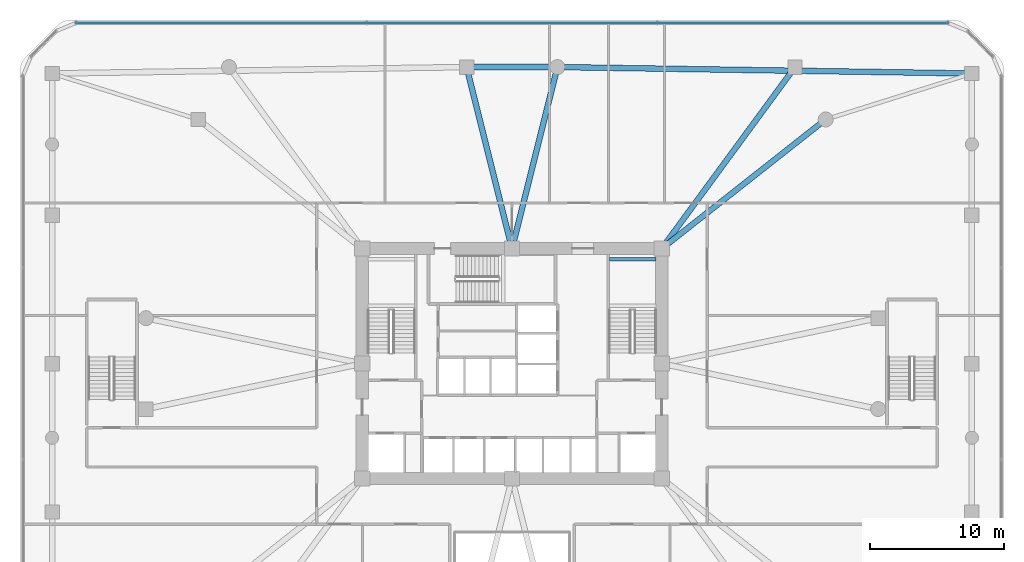
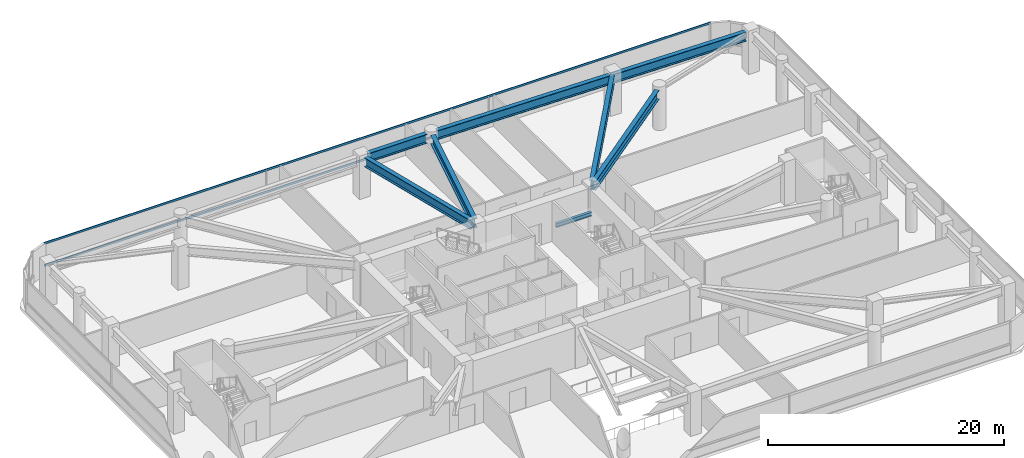
# One storey, part 7 of 21: 7 beams, 2 members, 1 element without a shape of its own.
"""IFC4 building model written with IfcOpenShell, lengths in metres."""

from ifc_helpers import new_model, si_unit, derived_unit, direction, frame, origin, origin_2d, place, context, subcontext, project, spatial, rectangle, i_section, extrude, material, material_profile, profile_set, type_object, element, aggregate, save


model = new_model("IFC4")

# Units and contexts
model_context = context("Model", 3, precision=1e-05, world=origin(), true_north=direction((0.0, 1.0)))
body_context = subcontext(model_context, "Body", "Model", "MODEL_VIEW")
ifc_project = project(units=[si_unit("LENGTHUNIT", "METRE"), si_unit("AREAUNIT", "SQUARE_METRE"), si_unit("VOLUMEUNIT", "CUBIC_METRE"), si_unit("PLANEANGLEUNIT", "RADIAN"), si_unit("MASSUNIT", "GRAM", prefix="KILO"), derived_unit("THERMALTRANSMITTANCEUNIT", [(si_unit("POWERUNIT", "WATT"), 1), (si_unit("LENGTHUNIT", "METRE"), -2), (si_unit("THERMODYNAMICTEMPERATUREUNIT", "KELVIN"), -1)])], contexts=[model_context])

# Site, building, storey
site_placement = place(None, origin())
site = spatial("IfcSite", under=ifc_project, at=site_placement, CompositionType="ELEMENT")
building_placement = place(site_placement, origin())
building = spatial("IfcBuilding", under=site, at=building_placement, Name="Koralith Skygarden Medical Center", CompositionType="ELEMENT")
storey_placement = place(building_placement, frame((0.0, 0.0, 5.39990234375)))
storey = spatial("IfcBuildingStorey", under=building, at=storey_placement, Name="L01", CompositionType="ELEMENT", Elevation=5.39990234375)

# Curtain wall, members
ifc_material_1 = material(Name="Clear Laminated Glass", Category="glass")
curtain_wall_type = type_object("IfcCurtainWallType", Name="CW-1 Transit & Podium Acoustic Curtain Wall", PredefinedType="NOTDEFINED", material=ifc_material_1)
curtain_wall_placement = place(storey_placement, origin())
curtain_wall = element("IfcCurtainWall", 1, at=curtain_wall_placement, inside=storey, type_object=curtain_wall_type, Name="Curtain Wall CW-L01-N", PredefinedType="NOTDEFINED")
ifc_material_2 = material(Name="Aluminium 6063-T6", Category="aluminium")
ifc_material_profile_1 = material_profile(ifc_material_2, rectangle(XDim=0.06298828125, YDim=0.216064453125, at=origin_2d()), Name="TRN63X216")
ifc_profile_set_1 = profile_set([ifc_material_profile_1], Name="Aluminium 6063-T6")
member_type = type_object("IfcMemberType", Name="CW-1 Thermal Transom 63x216", PredefinedType="USERDEFINED", material=ifc_profile_set_1)
member_1_placement = place(storey_placement, frame((69.62109375, 51.3798828125, 0.900146484375), z_axis=(-1.0, 0.0, 0.0), x_axis=(0.0, -1.0, 0.0)))
member_1 = element("IfcMember", 2, at=member_1_placement, type_object=member_type, Name="CW-L01-N Transom 1", ObjectType="TRANSOM", PredefinedType="USERDEFINED", context=body_context, shape_type="SweptSolid", body=[
    extrude(rectangle(XDim=0.06298828125, YDim=0.216064453125, at=origin_2d()), origin(), (0.0, 0.0, 1.0), 65.2421875),
])
member_2_placement = place(storey_placement, frame((69.62109375, 51.3798828125, 3.190185546875), z_axis=(-1.0, 0.0, 0.0), x_axis=(0.0, -1.0, 0.0)))
member_2 = element("IfcMember", 3, at=member_2_placement, type_object=member_type, Name="CW-L01-N Transom 2", ObjectType="TRANSOM", PredefinedType="USERDEFINED", context=body_context, shape_type="SweptSolid", body=[
    extrude(rectangle(XDim=0.06298828125, YDim=0.216064453125, at=origin_2d()), origin(), (0.0, 0.0, 1.0), 65.2421875),
])
aggregate(curtain_wall, [member_1, member_2])

# Beams
ifc_material_3 = material(Name="Steel ASTM A992 Grade 50", Category="steel")
ifc_material_profile_2 = material_profile(ifc_material_3, i_section(OverallWidth=0.260009765625, OverallDepth=0.4150390625, WebThickness=0.010009765625, FlangeThickness=0.016845703125, at=origin_2d()), Name="W16X67")
ifc_profile_set_2 = profile_set([ifc_material_profile_2], Name="Steel ASTM A992 Grade 50")
beam_type_1 = type_object("IfcBeamType", Name="Clinical Floor Joist W16X67", PredefinedType="JOIST", material=ifc_profile_set_2)
beam_1_placement = place(storey_placement, frame((44.280029296875, 33.699951171875, 1.843017578125), z_axis=(1.0, 0.0, 0.0), x_axis=(0.0, 1.0, 0.0)))
element("IfcBeam", 4, at=beam_1_placement, inside=storey, type_object=beam_type_1, Name="L01 Stair ST2 Half-Landing Support Beam 1B", PredefinedType="JOIST", context=body_context, shape_type="SweptSolid", body=[
    extrude(i_section(OverallWidth=0.260009765625, OverallDepth=0.4150390625, WebThickness=0.010009765625, FlangeThickness=0.016845703125, at=origin_2d()), origin(), (0.0, 0.0, 1.0), 3.489990234375),
])
ifc_material_profile_3 = material_profile(ifc_material_3, i_section(OverallWidth=0.423095703125, OverallDepth=0.947998046875, WebThickness=0.02392578125, FlangeThickness=0.042724609375, at=origin_2d()), Name="W36X302")
ifc_profile_set_3 = profile_set([ifc_material_profile_3], Name="Steel ASTM A992 Grade 50")
beam_type_2 = type_object("IfcBeamType", Name="Podium Concourse Girder W36X302", PredefinedType="BEAM", material=ifc_profile_set_3)
beam_2_placement = place(storey_placement, frame((70.8798828125, 47.60791015625, 3.72607421875), z_axis=(-0.999880035237, 0.015489194131, 0.0), x_axis=(-0.015489194131, -0.999880035237, 0.0)))
element("IfcBeam", 5, at=beam_2_placement, inside=storey, type_object=beam_type_2, Name="L01 Podium Perimeter Beam PB-09", PredefinedType="BEAM", context=body_context, shape_type="SweptSolid", body=[
    extrude(i_section(OverallWidth=0.423095703125, OverallDepth=0.947998046875, WebThickness=0.02392578125, FlangeThickness=0.042724609375, at=origin_2d()), origin(), (0.0, 0.0, 1.0), 29.963623046875),
])
beam_3_placement = place(storey_placement, frame((39.8798828125, 48.080078125, 3.72607421875), z_axis=(-1.0, 0.0, 0.0), x_axis=(0.0, -1.0, 0.0)))
element("IfcBeam", 6, at=beam_3_placement, inside=storey, type_object=beam_type_2, Name="L01 Podium Perimeter Beam PB-10", PredefinedType="BEAM", context=body_context, shape_type="SweptSolid", body=[
    extrude(i_section(OverallWidth=0.423095703125, OverallDepth=0.947998046875, WebThickness=0.02392578125, FlangeThickness=0.042724609375, at=origin_2d()), origin(), (0.0, 0.0, 1.0), 5.759765625),
])
beam_4_placement = place(storey_placement, frame((48.639892578125, 34.846923828125, 3.72607421875), z_axis=(0.785504791859, 0.618855574401, 0.0), x_axis=(-0.618855574401, 0.785504791859, 0.0)))
element("IfcBeam", 7, at=beam_4_placement, inside=storey, type_object=beam_type_2, Name="L01 Podium Radial Girder PRG-10", PredefinedType="BEAM", context=body_context, shape_type="SweptSolid", body=[
    extrude(i_section(OverallWidth=0.423095703125, OverallDepth=0.947998046875, WebThickness=0.02392578125, FlangeThickness=0.042724609375, at=origin_2d()), origin(), (0.0, 0.0, 1.0), 14.5283203125),
])
beam_5_placement = place(storey_placement, frame((48.531005859375, 34.950927734375, 3.72607421875), z_axis=(0.591712691958, 0.806148925556, 0.0), x_axis=(-0.806148925556, 0.591712691958, 0.0)))
element("IfcBeam", 8, at=beam_5_placement, inside=storey, type_object=beam_type_2, Name="L01 Podium Radial Girder PRG-11", PredefinedType="BEAM", context=body_context, shape_type="SweptSolid", body=[
    extrude(i_section(OverallWidth=0.423095703125, OverallDepth=0.947998046875, WebThickness=0.02392578125, FlangeThickness=0.042724609375, at=origin_2d()), origin(), (0.0, 0.0, 1.0), 15.766357421875),
])
for number, where, z_axis, x_axis, name in (
    (9, (37.135986328125, 35.04296875, 3.72607421875), (0.242877971824, 0.970056849263, 0.0), (-0.970056849263, 0.242877971824, 0.0), "L01 Podium Radial Girder PRG-12"),
    (10, (36.864013671875, 35.04296875, 3.72607421875), (-0.242877971824, 0.970056849263, 0.0), (-0.970056849263, -0.242877971824, 0.0), "L01 Podium Radial Girder PRG-13"),
):
    element("IfcBeam", number, at=place(storey_placement, frame(where, z_axis=z_axis, x_axis=x_axis)), inside=storey, type_object=beam_type_2, Name=name, PredefinedType="BEAM", context=body_context, shape_type="SweptSolid", body=[
        extrude(i_section(OverallWidth=0.423095703125, OverallDepth=0.947998046875, WebThickness=0.02392578125, FlangeThickness=0.042724609375, at=origin_2d()), origin(), (0.0, 0.0, 1.0), 12.919921875),
    ])

save(model, "model.ifc")
